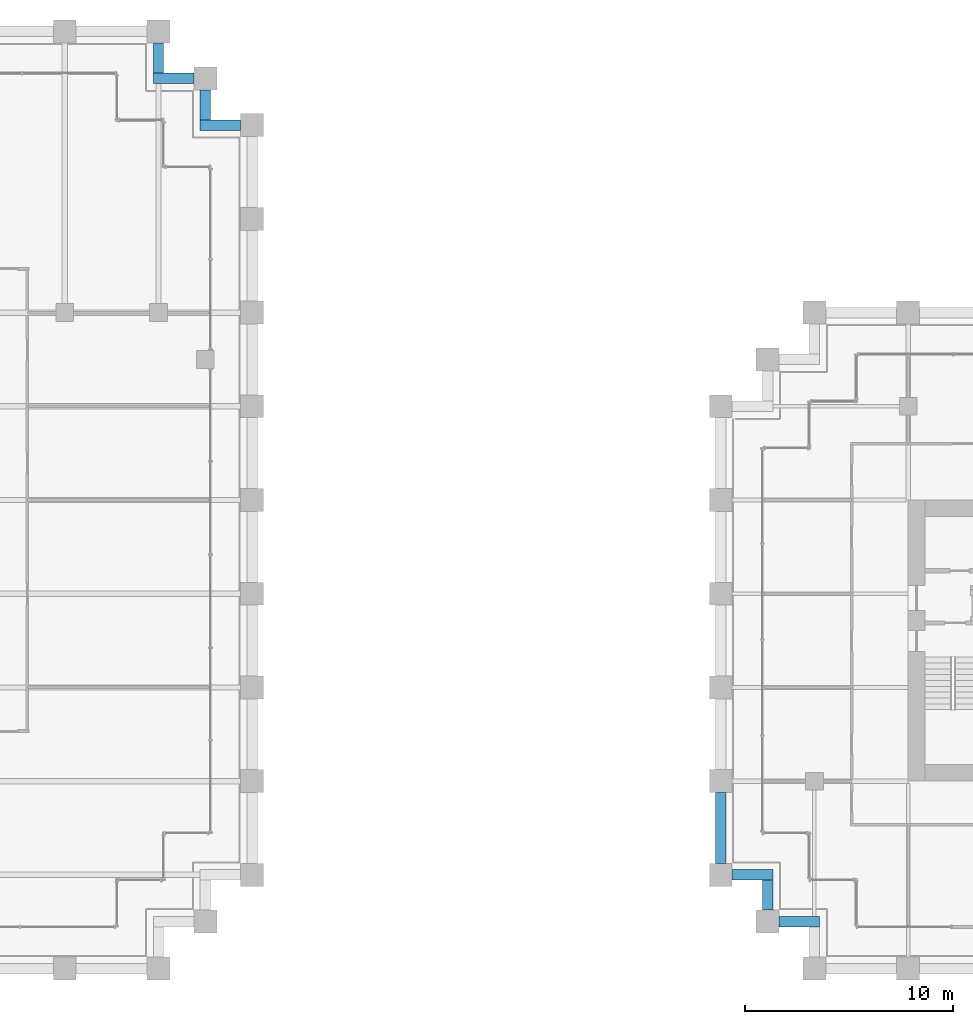
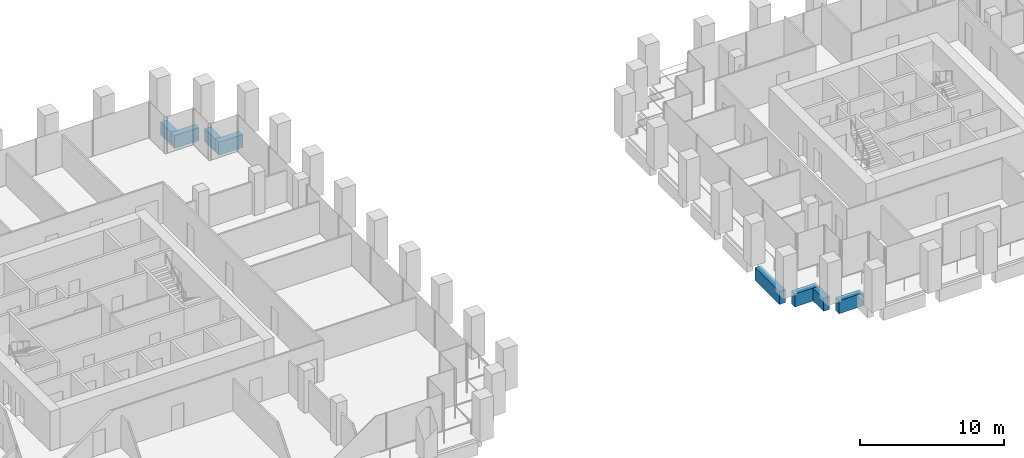
# One storey, part 33 of 56: 8 beams.
"""IFC4 building model written with IfcOpenShell, lengths in metres."""

from ifc_helpers import new_model, si_unit, direction, frame, origin, origin_2d, place, context, subcontext, project, spatial, rectangle, extrude, material, material_profile, profile_set, type_object, element, save


model = new_model("IFC4")

# Units and contexts
model_context = context("Model", 3, precision=1e-05, world=origin(), true_north=direction((0.0, 1.0)))
body_context = subcontext(model_context, "Body", "Model", "MODEL_VIEW")
ifc_project = project(units=[si_unit("LENGTHUNIT", "METRE"), si_unit("AREAUNIT", "SQUARE_METRE"), si_unit("VOLUMEUNIT", "CUBIC_METRE"), si_unit("PLANEANGLEUNIT", "RADIAN"), si_unit("MASSUNIT", "GRAM", prefix="KILO")], contexts=[model_context])

# Site, building, storey
site_placement = place(None, origin())
site = spatial("IfcSite", under=ifc_project, at=site_placement, CompositionType="ELEMENT")
building_placement = place(site_placement, origin())
building = spatial("IfcBuilding", under=site, at=building_placement, Name="Altepetl Exchange Towers", CompositionType="ELEMENT")
storey_placement = place(building_placement, frame((0.0, 0.0, 51.0)))
storey = spatial("IfcBuildingStorey", under=building, at=storey_placement, Name="L11", CompositionType="ELEMENT", Elevation=51.0)

# Beams
ifc_material_1 = material(Name="Concrete C50/60 precast with cantera rosa facing", Category="concrete")
ifc_material_profile_1 = material_profile(ifc_material_1, rectangle(XDim=0.5, YDim=1.10009765625, at=origin_2d()), Name="500 x 1100")
ifc_profile_set_1 = profile_set([ifc_material_profile_1], Name="Concrete C50/60 precast with cantera rosa facing")
beam_type_1 = type_object("IfcBeamType", Name="Spandrel beam 500x1100 cantera rosa", PredefinedType="SPANDREL", material=ifc_profile_set_1)
beam_1_placement = place(storey_placement, frame((71.449951171875, 67.5, -0.699951171875), z_axis=(-1.0, 0.0, 0.0), x_axis=(0.0, -1.0, 0.0)))
element("IfcBeam", 1, at=beam_1_placement, inside=storey, type_object=beam_type_1, Name="sp:A:L11:020", PredefinedType="SPANDREL", context=body_context, shape_type="SweptSolid", body=[
    extrude(rectangle(XDim=0.5, YDim=1.10009765625, at=origin_2d()), origin(), (0.0, 0.0, 1.0), 1.949951171875),
])
beam_2_placement = place(storey_placement, frame((69.75, 67.75, -0.699951171875), z_axis=(0.0, 1.0, 0.0), x_axis=(-1.0, 0.0, 0.0)))
element("IfcBeam", 2, at=beam_2_placement, inside=storey, type_object=beam_type_1, Name="sp:A:L11:021", PredefinedType="SPANDREL", context=body_context, shape_type="SweptSolid", body=[
    extrude(rectangle(XDim=0.5, YDim=1.10009765625, at=origin_2d()), origin(), (0.0, 0.0, 1.0), 1.449951171875),
])
beam_3_placement = place(storey_placement, frame((69.199951171875, 69.75, -0.699951171875), z_axis=(-1.0, 0.0, 0.0), x_axis=(0.0, -1.0, 0.0)))
element("IfcBeam", 3, at=beam_3_placement, inside=storey, type_object=beam_type_1, Name="sp:A:L11:022", PredefinedType="SPANDREL", context=body_context, shape_type="SweptSolid", body=[
    extrude(rectangle(XDim=0.5, YDim=1.10009765625, at=origin_2d()), origin(), (0.0, 0.0, 1.0), 1.949951171875),
])
beam_4_placement = place(storey_placement, frame((67.5, 70.0, -0.699951171875), z_axis=(0.0, 1.0, 0.0), x_axis=(-1.0, 0.0, 0.0)))
element("IfcBeam", 4, at=beam_4_placement, inside=storey, type_object=beam_type_1, Name="sp:A:L11:023", PredefinedType="SPANDREL", context=body_context, shape_type="SweptSolid", body=[
    extrude(rectangle(XDim=0.5, YDim=1.10009765625, at=origin_2d()), origin(), (0.0, 0.0, 1.0), 1.449951171875),
])
ifc_material_2 = material(Name="Concrete C50/60 precast with tezontle facing", Category="concrete")
ifc_material_profile_2 = material_profile(ifc_material_2, rectangle(XDim=0.5, YDim=1.10009765625, at=origin_2d()), Name="500 x 1100")
ifc_profile_set_2 = profile_set([ifc_material_profile_2], Name="Concrete C50/60 precast with tezontle facing")
beam_type_2 = type_object("IfcBeamType", Name="Spandrel beam 500x1100 tezontle", PredefinedType="SPANDREL", material=ifc_profile_set_2)
beam_5_placement = place(storey_placement, frame((94.5, 35.449951171875, -0.699951171875), z_axis=(0.0, -1.0, 0.0), x_axis=(1.0, 0.0, 0.0)))
element("IfcBeam", 5, at=beam_5_placement, inside=storey, type_object=beam_type_2, Name="sp:B:L11:031", PredefinedType="SPANDREL", context=body_context, shape_type="SweptSolid", body=[
    extrude(rectangle(XDim=0.5, YDim=1.10009765625, at=origin_2d()), origin(), (0.0, 0.0, 1.0), 3.39990234375),
])
beam_6_placement = place(storey_placement, frame((95.050048828125, 31.5, -0.699951171875), z_axis=(1.0, 0.0, 0.0), x_axis=(0.0, 1.0, 0.0)))
element("IfcBeam", 6, at=beam_6_placement, inside=storey, type_object=beam_type_2, Name="sp:B:L11:032", PredefinedType="SPANDREL", context=body_context, shape_type="SweptSolid", body=[
    extrude(rectangle(XDim=0.5, YDim=1.10009765625, at=origin_2d()), origin(), (0.0, 0.0, 1.0), 1.949951171875),
])
beam_7_placement = place(storey_placement, frame((96.75, 31.25, -0.699951171875), z_axis=(0.0, -1.0, 0.0), x_axis=(1.0, 0.0, 0.0)))
element("IfcBeam", 7, at=beam_7_placement, inside=storey, type_object=beam_type_2, Name="sp:B:L11:033", PredefinedType="SPANDREL", context=body_context, shape_type="SweptSolid", body=[
    extrude(rectangle(XDim=0.5, YDim=1.10009765625, at=origin_2d()), origin(), (0.0, 0.0, 1.0), 1.449951171875),
])
beam_8_placement = place(storey_placement, frame((97.300048828125, 29.25, -0.699951171875), z_axis=(1.0, 0.0, 0.0), x_axis=(0.0, 1.0, 0.0)))
element("IfcBeam", 8, at=beam_8_placement, inside=storey, type_object=beam_type_2, Name="sp:B:L11:034", PredefinedType="SPANDREL", context=body_context, shape_type="SweptSolid", body=[
    extrude(rectangle(XDim=0.5, YDim=1.10009765625, at=origin_2d()), origin(), (0.0, 0.0, 1.0), 1.949951171875),
])

save(model, "model.ifc")
